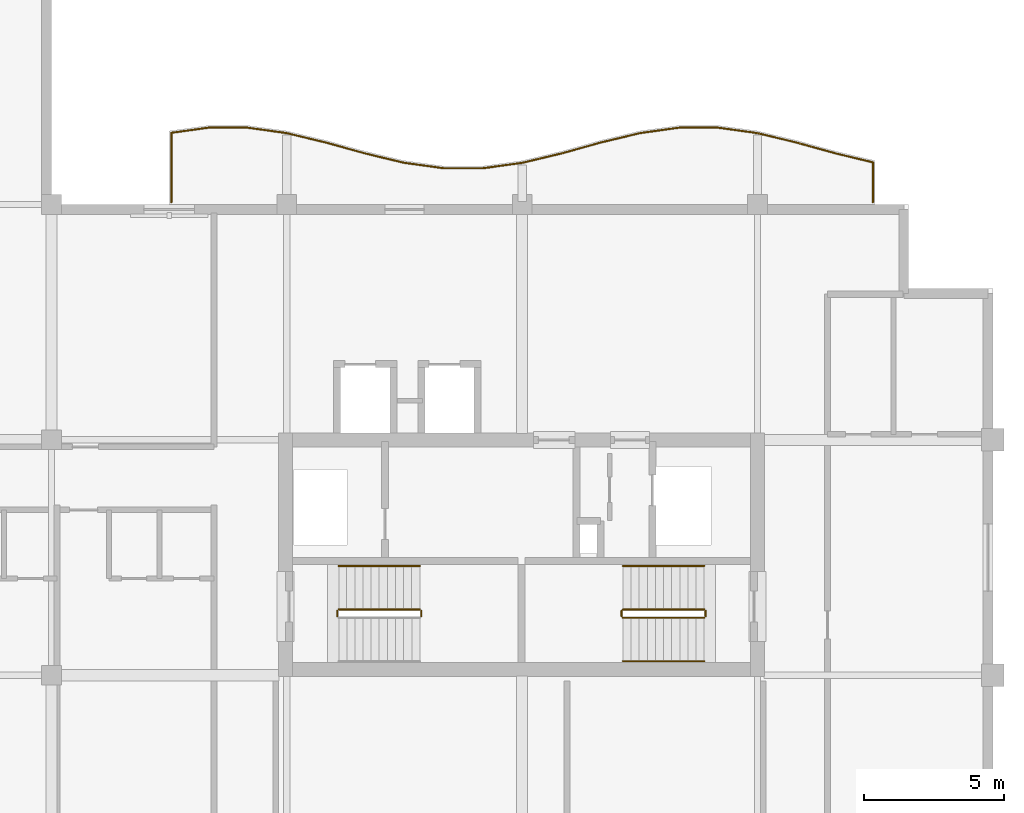
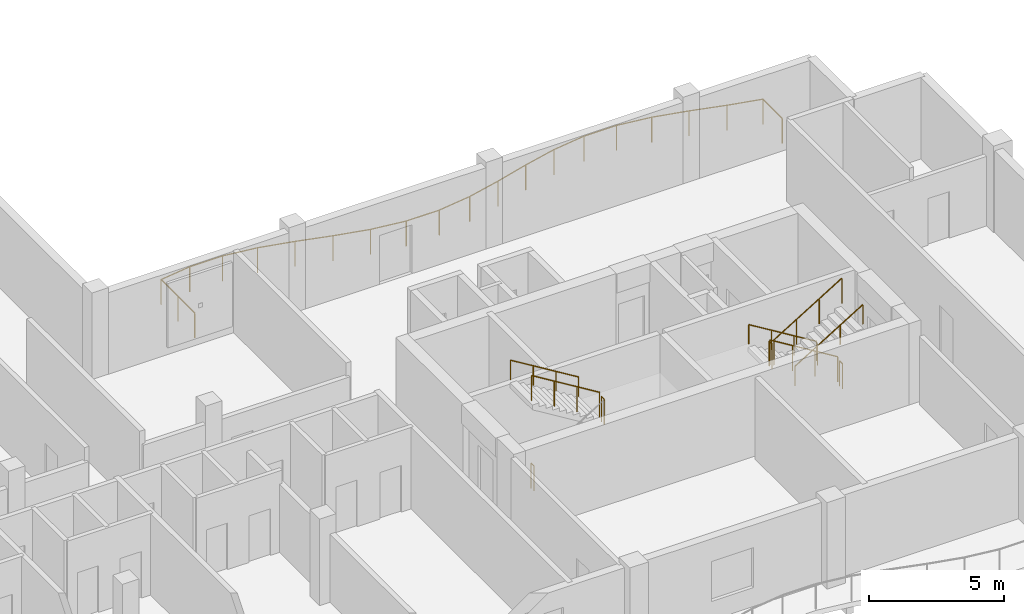
# One storey, part 11 of 12: 11 railings.
"""IFC4 building model written with IfcOpenShell, lengths in metres."""

from ifc_helpers import new_model, si_unit, direction, frame, origin, origin_2d, place, context, subcontext, project, spatial, circle, extrude, material, type_object, element, save


model = new_model("IFC4")

# Units and contexts
model_context = context("Model", 3, precision=1e-05, world=origin(), true_north=direction((0.0, 1.0)))
body_context = subcontext(model_context, "Body", "Model", "MODEL_VIEW")
ifc_project = project(units=[si_unit("LENGTHUNIT", "METRE"), si_unit("AREAUNIT", "SQUARE_METRE"), si_unit("VOLUMEUNIT", "CUBIC_METRE"), si_unit("PLANEANGLEUNIT", "RADIAN"), si_unit("MASSUNIT", "GRAM", prefix="KILO")], contexts=[model_context])

# Site, building, storey
site_placement = place(None, origin())
site = spatial("IfcSite", under=ifc_project, at=site_placement, CompositionType="ELEMENT")
building_placement = place(site_placement, origin())
building = spatial("IfcBuilding", under=site, at=building_placement, Name="Koriwani Terraces Tower", CompositionType="ELEMENT")
storey_placement = place(building_placement, frame((0.0, 0.0, 351.5)))
storey = spatial("IfcBuildingStorey", under=building, at=storey_placement, Name="L87", CompositionType="ELEMENT", Elevation=351.5)

# Railings
ifc_material = material(Name="Steel ASTM A572 Grade 50", Category="steel")
railing_type_1 = type_object("IfcRailingType", Name="GUARD_BALUSTRADE_1150", PredefinedType="BALUSTRADE", material=ifc_material)
railing_1_placement = place(storey_placement, frame((62.919921875, 33.679931640625, 0.0)))
element("IfcRailing", 1, at=railing_1_placement, inside=storey, type_object=railing_type_1, Name="L87 Balcony Perimeter Safety Balustrade (NE)", PredefinedType="BALUSTRADE", context=body_context, shape_type="SweptSolid", body=[
    extrude(circle(Radius=0.02392578125, at=origin_2d()), frame((0.0, 0.0, 1.1259765625), z_axis=(0.0, 1.0, 0.0), x_axis=(-1.0, 0.0, 0.0)), (0.0, 0.0, 1.0), 1.4267578125),
    extrude(circle(Radius=0.02392578125, at=origin_2d()), frame((0.0, 1.4267578125, 1.1259765625), z_axis=(-0.972351908849, 0.233520374611, 0.0), x_axis=(-0.233520374611, -0.972351908849, 0.0)), (0.0, 0.0, 1.0), 1.3779296875),
    extrude(circle(Radius=0.02392578125, at=origin_2d()), frame((-1.33984375, 1.74853515625, 1.1259765625), z_axis=(-0.963650193341, 0.26716718525, 0.0), x_axis=(-0.26716718525, -0.963650193341, 0.0)), (0.0, 0.0, 1.0), 1.452880859375),
    extrude(circle(Radius=0.02392578125, at=origin_2d()), frame((-2.739990234375, 2.13671875, 1.1259765625), z_axis=(-0.972353303141, 0.233514568862, 0.0), x_axis=(-0.233514568862, -0.972353303141, 0.0)), (0.0, 0.0, 1.0), 1.434326171875),
    extrude(circle(Radius=0.02392578125, at=origin_2d()), frame((-4.134765625, 2.4716796875, 1.1259765625), z_axis=(-0.990518583157, 0.137378806302, 0.0), x_axis=(-0.137378806302, -0.990518583157, 0.0)), (0.0, 0.0, 1.0), 1.404052734375),
    extrude(circle(Radius=0.02392578125, at=origin_2d()), frame((-5.525390625, 2.66455078125, 1.1259765625), z_axis=(-1.0, 0.0, 0.0), x_axis=(0.0, -1.0, 0.0)), (0.0, 0.0, 1.0), 1.388916015625),
    extrude(circle(Radius=0.02392578125, at=origin_2d()), frame((-6.914306640625, 2.66455078125, 1.1259765625), z_axis=(-0.990518583157, -0.137378806302, 0.0), x_axis=(0.137378806302, -0.990518583157, 0.0)), (0.0, 0.0, 1.0), 1.404052734375),
    extrude(circle(Radius=0.02392578125, at=origin_2d()), frame((-8.304931640625, 2.4716796875, 1.1259765625), z_axis=(-0.972362581689, -0.23347592966, 0.0), x_axis=(0.23347592966, -0.972362581689, 0.0)), (0.0, 0.0, 1.0), 1.4345703125),
    extrude(circle(Radius=0.02392578125, at=origin_2d()), frame((-9.699951171875, 2.13671875, 1.1259765625), z_axis=(-0.963638196753, -0.267210452187, 0.0), x_axis=(0.267210452187, -0.963638196753, 0.0)), (0.0, 0.0, 1.0), 1.45263671875),
    extrude(circle(Radius=0.02392578125, at=origin_2d()), frame((-11.099853515625, 1.74853515625, 1.1259765625), z_axis=(-0.972404167631, -0.233302667738, 0.0), x_axis=(0.233302667738, -0.972404167631, 0.0)), (0.0, 0.0, 1.0), 1.445068359375),
    extrude(circle(Radius=0.02392578125, at=origin_2d()), frame((-12.505126953125, 1.411376953125, 1.1259765625), z_axis=(-0.990531206111, -0.137287762455, 0.0), x_axis=(0.137287762455, -0.990531206111, 0.0)), (0.0, 0.0, 1.0), 1.422607421875),
    extrude(circle(Radius=0.02392578125, at=origin_2d()), frame((-13.914306640625, 1.216064453125, 1.1259765625), z_axis=(-1.0, 0.0, 0.0), x_axis=(0.0, -1.0, 0.0)), (0.0, 0.0, 1.0), 1.4111328125),
    extrude(circle(Radius=0.02392578125, at=origin_2d()), frame((-15.325439453125, 1.216064453125, 1.1259765625), z_axis=(-0.990531206111, 0.137287762455, 0.0), x_axis=(-0.137287762455, -0.990531206111, 0.0)), (0.0, 0.0, 1.0), 1.422607421875),
    extrude(circle(Radius=0.02392578125, at=origin_2d()), frame((-16.734619140625, 1.411376953125, 1.1259765625), z_axis=(-0.972404167631, 0.233302667738, 0.0), x_axis=(-0.233302667738, -0.972404167631, 0.0)), (0.0, 0.0, 1.0), 1.445068359375),
    extrude(circle(Radius=0.02392578125, at=origin_2d()), frame((-18.139892578125, 1.74853515625, 1.1259765625), z_axis=(-0.963650193341, 0.26716718525, 0.0), x_axis=(-0.26716718525, -0.963650193341, 0.0)), (0.0, 0.0, 1.0), 1.452880859375),
    extrude(circle(Radius=0.02392578125, at=origin_2d()), frame((-19.5400390625, 2.13671875, 1.1259765625), z_axis=(-0.972353303141, 0.233514568862, 0.0), x_axis=(-0.233514568862, -0.972353303141, 0.0)), (0.0, 0.0, 1.0), 1.434326171875),
    extrude(circle(Radius=0.02392578125, at=origin_2d()), frame((-20.934814453125, 2.4716796875, 1.1259765625), z_axis=(-0.990518583157, 0.137378806302, 0.0), x_axis=(-0.137378806302, -0.990518583157, 0.0)), (0.0, 0.0, 1.0), 1.404052734375),
    extrude(circle(Radius=0.02392578125, at=origin_2d()), frame((-22.325439453125, 2.66455078125, 1.1259765625), z_axis=(-1.0, 0.0, 0.0), x_axis=(0.0, -1.0, 0.0)), (0.0, 0.0, 1.0), 1.388916015625),
    extrude(circle(Radius=0.02392578125, at=origin_2d()), frame((-23.71435546875, 2.66455078125, 1.1259765625), z_axis=(-0.990521249999, -0.137359576657, 0.0), x_axis=(0.137359576657, -0.990521249999, 0.0)), (0.0, 0.0, 1.0), 1.33837890625),
    extrude(circle(Radius=0.02392578125, at=origin_2d()), frame((-25.0400390625, 2.480712890625, 1.1259765625), z_axis=(0.0, -1.0, 0.0), x_axis=(1.0, 0.0, 0.0)), (0.0, 0.0, 1.0), 2.480712890625),
    extrude(circle(Radius=0.02099609375, at=origin_2d()), origin(), (0.0, 0.0, 1.0), 1.101806640625),
    extrude(circle(Radius=0.02099609375, at=origin_2d()), frame((0.0, 1.4267578125, 0.0)), (0.0, 0.0, 1.0), 1.101806640625),
    extrude(circle(Radius=0.02099609375, at=origin_2d()), frame((-1.33984375, 1.74853515625, 0.0)), (0.0, 0.0, 1.0), 1.101806640625),
    extrude(circle(Radius=0.02099609375, at=origin_2d()), frame((-2.739990234375, 2.13671875, 0.0)), (0.0, 0.0, 1.0), 1.101806640625),
    extrude(circle(Radius=0.02099609375, at=origin_2d()), frame((-4.134765625, 2.4716796875, 0.0)), (0.0, 0.0, 1.0), 1.101806640625),
    extrude(circle(Radius=0.02099609375, at=origin_2d()), frame((-5.525390625, 2.66455078125, 0.0)), (0.0, 0.0, 1.0), 1.101806640625),
    extrude(circle(Radius=0.02099609375, at=origin_2d()), frame((-6.914306640625, 2.66455078125, 0.0)), (0.0, 0.0, 1.0), 1.101806640625),
    extrude(circle(Radius=0.02099609375, at=origin_2d()), frame((-8.304931640625, 2.4716796875, 0.0)), (0.0, 0.0, 1.0), 1.101806640625),
    extrude(circle(Radius=0.02099609375, at=origin_2d()), frame((-9.699951171875, 2.13671875, 0.0)), (0.0, 0.0, 1.0), 1.101806640625),
    extrude(circle(Radius=0.02099609375, at=origin_2d()), frame((-11.099853515625, 1.74853515625, 0.0)), (0.0, 0.0, 1.0), 1.101806640625),
    extrude(circle(Radius=0.02099609375, at=origin_2d()), frame((-12.505126953125, 1.411376953125, 0.0)), (0.0, 0.0, 1.0), 1.101806640625),
    extrude(circle(Radius=0.02099609375, at=origin_2d()), frame((-13.914306640625, 1.216064453125, 0.0)), (0.0, 0.0, 1.0), 1.101806640625),
    extrude(circle(Radius=0.02099609375, at=origin_2d()), frame((-15.325439453125, 1.216064453125, 0.0)), (0.0, 0.0, 1.0), 1.101806640625),
    extrude(circle(Radius=0.02099609375, at=origin_2d()), frame((-16.734619140625, 1.411376953125, 0.0)), (0.0, 0.0, 1.0), 1.101806640625),
    extrude(circle(Radius=0.02099609375, at=origin_2d()), frame((-18.139892578125, 1.74853515625, 0.0)), (0.0, 0.0, 1.0), 1.101806640625),
    extrude(circle(Radius=0.02099609375, at=origin_2d()), frame((-19.5400390625, 2.13671875, 0.0)), (0.0, 0.0, 1.0), 1.101806640625),
    extrude(circle(Radius=0.02099609375, at=origin_2d()), frame((-20.934814453125, 2.4716796875, 0.0)), (0.0, 0.0, 1.0), 1.101806640625),
    extrude(circle(Radius=0.02099609375, at=origin_2d()), frame((-22.325439453125, 2.66455078125, 0.0)), (0.0, 0.0, 1.0), 1.101806640625),
    extrude(circle(Radius=0.02099609375, at=origin_2d()), frame((-23.71435546875, 2.66455078125, 0.0)), (0.0, 0.0, 1.0), 1.101806640625),
    extrude(circle(Radius=0.02099609375, at=origin_2d()), frame((-25.0400390625, 2.480712890625, 0.0)), (0.0, 0.0, 1.0), 1.101806640625),
    extrude(circle(Radius=0.02099609375, at=origin_2d()), frame((-25.0400390625, 1.240234375, 0.0)), (0.0, 0.0, 1.0), 1.101806640625),
    extrude(circle(Radius=0.02099609375, at=origin_2d()), frame((-25.0400390625, 0.0, 0.0)), (0.0, 0.0, 1.0), 1.101806640625),
])
railing_type_2 = type_object("IfcRailingType", Name="GUARD_STAIR_WELL_1120", PredefinedType="GUARDRAIL", material=ifc_material)
railing_2_placement = place(storey_placement, frame((46.800048828125, 18.89990234375, 1.949951171875)))
element("IfcRailing", 2, at=railing_2_placement, inside=storey, type_object=railing_type_2, Name="L87 ST-E1 stair guard 2", PredefinedType="GUARDRAIL", context=body_context, shape_type="SweptSolid", body=[
    extrude(circle(Radius=0.02392578125, at=origin_2d()), frame((0.0, 0.0, 1.1259765625), z_axis=(0.0, 1.0, 0.0), x_axis=(-1.0, 0.0, 0.0)), (0.0, 0.0, 1.0), 0.2001953125),
    extrude(circle(Radius=0.02099609375, at=origin_2d()), origin(), (0.0, 0.0, 1.0), 1.101806640625),
    extrude(circle(Radius=0.02099609375, at=origin_2d()), frame((0.0, 0.2001953125, 0.0)), (0.0, 0.0, 1.0), 1.101806640625),
])
railing_3_placement = place(storey_placement, frame((46.75, 19.14990234375, 2.127197265625)))
element("IfcRailing", 3, at=railing_3_placement, inside=storey, type_object=railing_type_2, Name="L87 ST-E1 stair guard 3", PredefinedType="GUARDRAIL", context=body_context, shape_type="SweptSolid", body=[
    extrude(circle(Radius=0.02392578125, at=origin_2d()), frame((0.0, 0.0, 1.1259765625), z_axis=(-0.853210801645, 0.0, 0.521566225858), x_axis=(0.0, -1.0, 0.0)), (0.0, 0.0, 1.0), 3.39892578125),
    extrude(circle(Radius=0.02099609375, at=origin_2d()), origin(), (0.0, 0.0, 1.0), 1.101806640625),
    extrude(circle(Radius=0.02099609375, at=origin_2d()), frame((-0.966552734375, 0.0, 0.5908203125)), (0.0, 0.0, 1.0), 1.101806640625),
    extrude(circle(Radius=0.02099609375, at=origin_2d()), frame((-1.933349609375, 0.0, 1.181884765625)), (0.0, 0.0, 1.0), 1.101806640625),
    extrude(circle(Radius=0.02099609375, at=origin_2d()), frame((-2.89990234375, 0.0, 1.772705078125)), (0.0, 0.0, 1.0), 1.101806640625),
])
railing_4_placement = place(storey_placement, frame((43.800048828125, 18.89990234375, 0.0)))
element("IfcRailing", 4, at=railing_4_placement, inside=storey, type_object=railing_type_2, Name="L87 ST-E1 stair guard 4", PredefinedType="GUARDRAIL", context=body_context, shape_type="SweptSolid", body=[
    extrude(circle(Radius=0.02392578125, at=origin_2d()), frame((0.0, 0.0, 1.1259765625), z_axis=(0.0, 1.0, 0.0), x_axis=(-1.0, 0.0, 0.0)), (0.0, 0.0, 1.0), 0.2001953125),
    extrude(circle(Radius=0.02099609375, at=origin_2d()), origin(), (0.0, 0.0, 1.0), 1.101806640625),
    extrude(circle(Radius=0.02099609375, at=origin_2d()), frame((0.0, 0.2001953125, 0.0)), (0.0, 0.0, 1.0), 1.101806640625),
])
railing_5_placement = place(storey_placement, frame((56.89990234375, 19.14990234375, 0.17724609375)))
element("IfcRailing", 5, at=railing_5_placement, inside=storey, type_object=railing_type_2, Name="L87 ST-E2 stair guard 1", PredefinedType="GUARDRAIL", context=body_context, shape_type="SweptSolid", body=[
    extrude(circle(Radius=0.02392578125, at=origin_2d()), frame((0.0, 0.0, 1.1259765625), z_axis=(-0.853210801645, 0.0, 0.521566225858), x_axis=(0.0, -1.0, 0.0)), (0.0, 0.0, 1.0), 3.39892578125),
    extrude(circle(Radius=0.02099609375, at=origin_2d()), origin(), (0.0, 0.0, 1.0), 1.101806640625),
    extrude(circle(Radius=0.02099609375, at=origin_2d()), frame((-0.966552734375, 0.0, 0.5908203125)), (0.0, 0.0, 1.0), 1.101806640625),
    extrude(circle(Radius=0.02099609375, at=origin_2d()), frame((-1.933349609375, 0.0, 1.181884765625)), (0.0, 0.0, 1.0), 1.101806640625),
    extrude(circle(Radius=0.02099609375, at=origin_2d()), frame((-2.89990234375, 0.0, 1.772705078125)), (0.0, 0.0, 1.0), 1.101806640625),
])
railing_6_placement = place(storey_placement, frame((53.949951171875, 19.10009765625, 1.949951171875)))
element("IfcRailing", 6, at=railing_6_placement, inside=storey, type_object=railing_type_2, Name="L87 ST-E2 stair guard 2", PredefinedType="GUARDRAIL", context=body_context, shape_type="SweptSolid", body=[
    extrude(circle(Radius=0.02392578125, at=origin_2d()), frame((0.0, 0.0, 1.1259765625), z_axis=(0.0, -1.0, 0.0), x_axis=(1.0, 0.0, 0.0)), (0.0, 0.0, 1.0), 0.2001953125),
    extrude(circle(Radius=0.02099609375, at=origin_2d()), origin(), (0.0, 0.0, 1.0), 1.101806640625),
    extrude(circle(Radius=0.02099609375, at=origin_2d()), frame((0.0, -0.2001953125, 0.0)), (0.0, 0.0, 1.0), 1.101806640625),
])
railing_7_placement = place(storey_placement, frame((54.0, 18.85009765625, 2.127197265625)))
element("IfcRailing", 7, at=railing_7_placement, inside=storey, type_object=railing_type_2, Name="L87 ST-E2 stair guard 3", PredefinedType="GUARDRAIL", context=body_context, shape_type="SweptSolid", body=[
    extrude(circle(Radius=0.02392578125, at=origin_2d()), frame((0.0, 0.0, 1.1259765625), z_axis=(0.853210801645, 0.0, 0.521566225858), x_axis=(0.0, 1.0, 0.0)), (0.0, 0.0, 1.0), 3.39892578125),
    extrude(circle(Radius=0.02099609375, at=origin_2d()), origin(), (0.0, 0.0, 1.0), 1.101806640625),
    extrude(circle(Radius=0.02099609375, at=origin_2d()), frame((0.966552734375, 0.0, 0.5908203125)), (0.0, 0.0, 1.0), 1.101806640625),
    extrude(circle(Radius=0.02099609375, at=origin_2d()), frame((1.933349609375, 0.0, 1.181884765625)), (0.0, 0.0, 1.0), 1.101806640625),
    extrude(circle(Radius=0.02099609375, at=origin_2d()), frame((2.89990234375, 0.0, 1.772705078125)), (0.0, 0.0, 1.0), 1.101806640625),
])
railing_8_placement = place(storey_placement, frame((56.949951171875, 19.10009765625, 0.0)))
element("IfcRailing", 8, at=railing_8_placement, inside=storey, type_object=railing_type_2, Name="L87 ST-E2 stair guard 4", PredefinedType="GUARDRAIL", context=body_context, shape_type="SweptSolid", body=[
    extrude(circle(Radius=0.02392578125, at=origin_2d()), frame((0.0, 0.0, 1.1259765625), z_axis=(0.0, -1.0, 0.0), x_axis=(1.0, 0.0, 0.0)), (0.0, 0.0, 1.0), 0.2001953125),
    extrude(circle(Radius=0.02099609375, at=origin_2d()), origin(), (0.0, 0.0, 1.0), 1.101806640625),
    extrude(circle(Radius=0.02099609375, at=origin_2d()), frame((0.0, -0.2001953125, 0.0)), (0.0, 0.0, 1.0), 1.101806640625),
])
railing_type_3 = type_object("IfcRailingType", Name="HANDRAIL_STAIR_920", PredefinedType="HANDRAIL", material=ifc_material)
for number, where, name in (
    (9, (46.75, 20.699951171875, 2.127197265625), "L87 ST-E1 stair handrail 2"),
    (10, (56.89990234375, 20.699951171875, 0.17724609375), "L87 ST-E2 stair handrail 1"),
):
    element("IfcRailing", number, at=place(storey_placement, frame(where)), inside=storey, type_object=railing_type_3, Name=name, PredefinedType="HANDRAIL", context=body_context, shape_type="SweptSolid", body=[
        extrude(circle(Radius=0.02392578125, at=origin_2d()), frame((0.0, 0.0, 0.8759765625), z_axis=(-0.853210801645, 0.0, 0.521566225858), x_axis=(0.0, -1.0, 0.0)), (0.0, 0.0, 1.0), 3.39892578125),
        extrude(circle(Radius=0.02099609375, at=origin_2d()), origin(), (0.0, 0.0, 1.0), 0.851806640625),
        extrude(circle(Radius=0.02099609375, at=origin_2d()), frame((-0.966552734375, 0.0, 0.5908203125)), (0.0, 0.0, 1.0), 0.851806640625),
        extrude(circle(Radius=0.02099609375, at=origin_2d()), frame((-1.933349609375, 0.0, 1.181884765625)), (0.0, 0.0, 1.0), 0.851806640625),
        extrude(circle(Radius=0.02099609375, at=origin_2d()), frame((-2.89990234375, 0.0, 1.772705078125)), (0.0, 0.0, 1.0), 0.851806640625),
    ])
railing_9_placement = place(storey_placement, frame((54.0, 17.300048828125, 2.127197265625)))
element("IfcRailing", 11, at=railing_9_placement, inside=storey, type_object=railing_type_3, Name="L87 ST-E2 stair handrail 2", PredefinedType="HANDRAIL", context=body_context, shape_type="SweptSolid", body=[
    extrude(circle(Radius=0.02392578125, at=origin_2d()), frame((0.0, 0.0, 0.8759765625), z_axis=(0.853210801645, 0.0, 0.521566225858), x_axis=(0.0, 1.0, 0.0)), (0.0, 0.0, 1.0), 3.39892578125),
    extrude(circle(Radius=0.02099609375, at=origin_2d()), origin(), (0.0, 0.0, 1.0), 0.851806640625),
    extrude(circle(Radius=0.02099609375, at=origin_2d()), frame((0.966552734375, 0.0, 0.5908203125)), (0.0, 0.0, 1.0), 0.851806640625),
    extrude(circle(Radius=0.02099609375, at=origin_2d()), frame((1.933349609375, 0.0, 1.181884765625)), (0.0, 0.0, 1.0), 0.851806640625),
    extrude(circle(Radius=0.02099609375, at=origin_2d()), frame((2.89990234375, 0.0, 1.772705078125)), (0.0, 0.0, 1.0), 0.851806640625),
])

save(model, "model.ifc")
